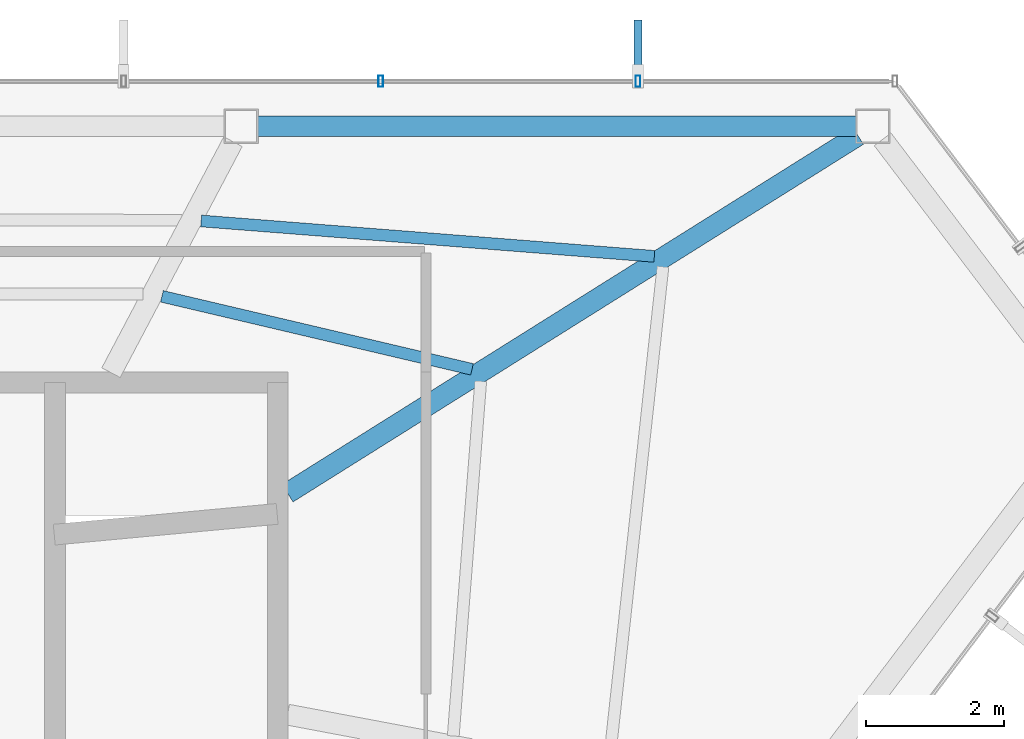
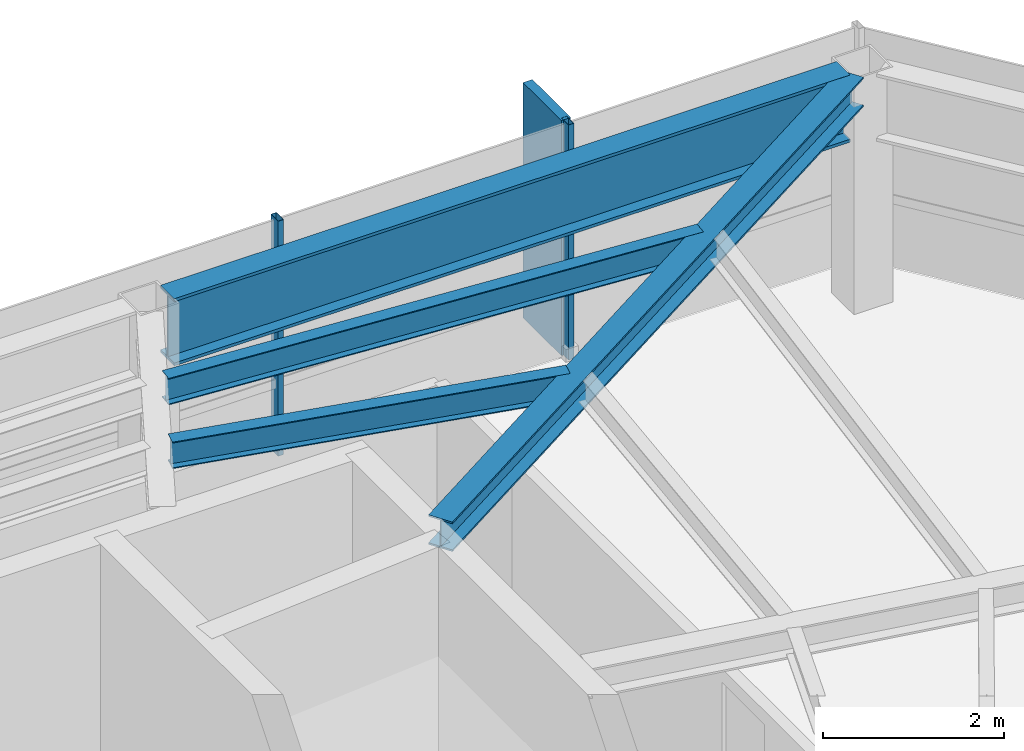
# One storey, part 18 of 24: 4 beams, 3 members, 1 element without a shape of its own.
"""IFC4 building model written with IfcOpenShell, lengths in metres."""

from ifc_helpers import new_model, si_unit, direction, frame, origin, origin_2d, place, context, subcontext, project, spatial, rectangle, hollow_rectangle, i_section, extrude, material, layer, layer_set, material_profile, profile_set, type_object, element, aggregate, save


model = new_model("IFC4")

# Units and contexts
model_context = context("Model", 3, precision=1e-05, world=origin(), true_north=direction((0.0, 1.0)))
body_context = subcontext(model_context, "Body", "Model", "MODEL_VIEW")
ifc_project = project(units=[si_unit("LENGTHUNIT", "METRE"), si_unit("AREAUNIT", "SQUARE_METRE"), si_unit("VOLUMEUNIT", "CUBIC_METRE"), si_unit("PLANEANGLEUNIT", "RADIAN"), si_unit("MASSUNIT", "GRAM", prefix="KILO")], contexts=[model_context])

# Site, building, storey
site_placement = place(None, origin())
site = spatial("IfcSite", under=ifc_project, at=site_placement, CompositionType="ELEMENT")
building_placement = place(site_placement, origin())
building = spatial("IfcBuilding", under=site, at=building_placement, Name="Zarrinselat Tower", CompositionType="ELEMENT")
storey_placement = place(building_placement, frame((0.0, 0.0, 272.0)))
storey = spatial("IfcBuildingStorey", under=building, at=storey_placement, Name="L69", CompositionType="ELEMENT", Elevation=272.0)

# Beams
ifc_material_1 = material(Name="Steel S355J2", Category="steel")
ifc_material_profile_1 = material_profile(ifc_material_1, i_section(OverallWidth=0.300048828125, OverallDepth=0.39990234375, WebThickness=0.013427734375, FlangeThickness=0.02392578125, at=origin_2d()), Name="HEB 400")
ifc_profile_set_1 = profile_set([ifc_material_profile_1], Name="Steel S355J2")
beam_type_1 = type_object("IfcBeamType", Name="BM-HEB400", PredefinedType="BEAM", material=ifc_profile_set_1)
beam_1_placement = place(storey_placement, frame((48.35009765625, 41.800048828125, 2.97998046875), z_axis=(0.847257074066, 0.53118306679, 0.0), x_axis=(-0.53118306679, 0.847257074066, 0.0)))
element("IfcBeam", 1, at=beam_1_placement, inside=storey, type_object=beam_type_1, Name="L69 Radial Primary Girder RG01", PredefinedType="BEAM", context=body_context, shape_type="SweptSolid", body=[
    extrude(i_section(OverallWidth=0.300048828125, OverallDepth=0.39990234375, WebThickness=0.013427734375, FlangeThickness=0.02392578125, at=origin_2d()), origin(), (0.0, 0.0, 1.0), 9.7255859375),
])
ifc_material_2 = material(Name="Steel S460M", Category="steel")
ifc_material_profile_2 = material_profile(ifc_material_2, i_section(OverallWidth=0.302001953125, OverallDepth=0.909912109375, WebThickness=0.02099609375, FlangeThickness=0.0400390625, at=origin_2d()), Name="HEM 900")
ifc_profile_set_2 = profile_set([ifc_material_profile_2], Name="Steel S460M")
beam_type_2 = type_object("IfcBeamType", Name="BM-HEM900", PredefinedType="BEAM", material=ifc_profile_set_2)
beam_2_placement = place(storey_placement, frame((47.91748046875, 47.10009765625, 2.72509765625), z_axis=(1.0, 0.0, 0.0), x_axis=(0.0, 1.0, 0.0)))
element("IfcBeam", 2, at=beam_2_placement, inside=storey, type_object=beam_type_2, Name="L69 Perimeter Spandrel Girder SP01", PredefinedType="BEAM", context=body_context, shape_type="SweptSolid", body=[
    extrude(i_section(OverallWidth=0.302001953125, OverallDepth=0.909912109375, WebThickness=0.02099609375, FlangeThickness=0.0400390625, at=origin_2d()), origin(), (0.0, 0.0, 1.0), 8.648193359375),
])
ifc_material_3 = material(Name="Steel S355J2", Category="steel")
ifc_material_profile_3 = material_profile(ifc_material_3, i_section(OverallWidth=0.169921875, OverallDepth=0.360107421875, WebThickness=0.008056640625, FlangeThickness=0.0126953125, at=origin_2d()), Name="IPE 360")
ifc_profile_set_3 = profile_set([ifc_material_profile_3], Name="Steel S355J2")
beam_type_3 = type_object("IfcBeamType", Name="BM-IPE360", PredefinedType="JOIST", material=ifc_profile_set_3)
beam_3_placement = place(storey_placement, frame((47.102294921875, 45.731689453125, 3.0), z_axis=(0.996964802236, -0.077853600443, 0.0), x_axis=(0.077853600443, 0.996964802236, 0.0)))
element("IfcBeam", 3, at=beam_3_placement, inside=storey, type_object=beam_type_3, Name="L69 Composite Floor Joist 6-1", PredefinedType="JOIST", context=body_context, shape_type="SweptSolid", body=[
    extrude(i_section(OverallWidth=0.169921875, OverallDepth=0.360107421875, WebThickness=0.008056640625, FlangeThickness=0.0126953125, at=origin_2d()), origin(), (0.0, 0.0, 1.0), 6.566650390625),
])
beam_4_placement = place(storey_placement, frame((46.535400390625, 44.642578125, 3.0), z_axis=(0.973412993979, -0.229057074006, 0.0), x_axis=(0.229057074006, 0.973412993979, 0.0)))
element("IfcBeam", 4, at=beam_4_placement, inside=storey, type_object=beam_type_3, Name="L69 Composite Floor Joist 6-2", PredefinedType="JOIST", context=body_context, shape_type="SweptSolid", body=[
    extrude(i_section(OverallWidth=0.169921875, OverallDepth=0.360107421875, WebThickness=0.008056640625, FlangeThickness=0.0126953125, at=origin_2d()), origin(), (0.0, 0.0, 1.0), 4.602294921875),
])

# Curtain wall, members
ifc_material_4 = material(Name="Extruded Aluminium Alloy EN AW-6063 T6", Category="aluminium")
ifc_layer = layer(ifc_material_4, 0.169921875)
ifc_layer_set = layer_set([ifc_layer], Name="Extruded Aluminium Alloy EN AW-6063 T6")
curtain_wall_type = type_object("IfcCurtainWallType", Name="CWS-RES", PredefinedType="NOTDEFINED", material=ifc_layer_set)
curtain_wall_placement = place(storey_placement, origin())
curtain_wall = element("IfcCurtainWall", 5, at=curtain_wall_placement, inside=storey, type_object=curtain_wall_type, Name="L69 Unitised Curtain Wall CW-L69-E01", PredefinedType="NOTDEFINED")
ifc_material_5 = material(Name="Extruded Aluminium Alloy EN AW-6063 T6", Category="aluminium")
ifc_material_profile_4 = material_profile(ifc_material_5, hollow_rectangle(XDim=0.070068359375, YDim=0.159912109375, WallThickness=0.00390625, at=origin_2d()), Name="RHS 160x70x4")
ifc_profile_set_4 = profile_set([ifc_material_profile_4], Name="Extruded Aluminium Alloy EN AW-6063 T6")
member_type_1 = type_object("IfcMemberType", Name="MEM-CW-MUL2", PredefinedType="MULLION", material=ifc_profile_set_4)
member_1_placement = place(storey_placement, frame((53.412109375, 47.75, 0.0), z_axis=(0.0, 0.0, 1.0), x_axis=(-1.0, 0.0, 0.0)))
member_1 = element("IfcMember", 6, at=member_1_placement, type_object=member_type_1, Name="CW-L69-E01 Mullion 1", PredefinedType="MULLION", context=body_context, shape_type="SweptSolid", body=[
    extrude(hollow_rectangle(XDim=0.070068359375, YDim=0.159912109375, WallThickness=0.00390625, at=origin_2d()), origin(), (0.0, 0.0, 1.0), 3.179931640625),
])
member_2_placement = place(storey_placement, frame((49.69775390625, 47.75, 0.0), z_axis=(0.0, 0.0, 1.0), x_axis=(-1.0, 0.0, 0.0)))
member_2 = element("IfcMember", 7, at=member_2_placement, type_object=member_type_1, Name="CW-L69-E01 Mullion 2", PredefinedType="MULLION", context=body_context, shape_type="SweptSolid", body=[
    extrude(hollow_rectangle(XDim=0.070068359375, YDim=0.159912109375, WallThickness=0.00390625, at=origin_2d()), origin(), (0.0, 0.0, 1.0), 3.179931640625),
])
ifc_material_6 = material(Name="Honed Cream Travertine Stone", Category="masonry")
ifc_material_profile_5 = material_profile(ifc_material_6, rectangle(XDim=0.1201171875, YDim=0.85009765625, at=origin_2d()), Name="FIN 850x120")
ifc_profile_set_5 = profile_set([ifc_material_profile_5], Name="Honed Cream Travertine Stone")
member_type_2 = type_object("IfcMemberType", Name="MEM-STONE-FIN", PredefinedType="USERDEFINED", material=ifc_profile_set_5)
member_3_placement = place(storey_placement, frame((53.412109375, 48.2099609375, 0.0), z_axis=(0.0, 0.0, 1.0), x_axis=(1.0, 0.0, 0.0)))
member_3 = element("IfcMember", 8, at=member_3_placement, type_object=member_type_2, Name="L69 Stone Shading Fin CW-L69-E01-01", ObjectType="FIN", PredefinedType="USERDEFINED", context=body_context, shape_type="SweptSolid", body=[
    extrude(rectangle(XDim=0.1201171875, YDim=0.85009765625, at=origin_2d()), origin(), (0.0, 0.0, 1.0), 3.179931640625),
])
aggregate(curtain_wall, [member_1, member_3, member_2])

save(model, "model.ifc")
